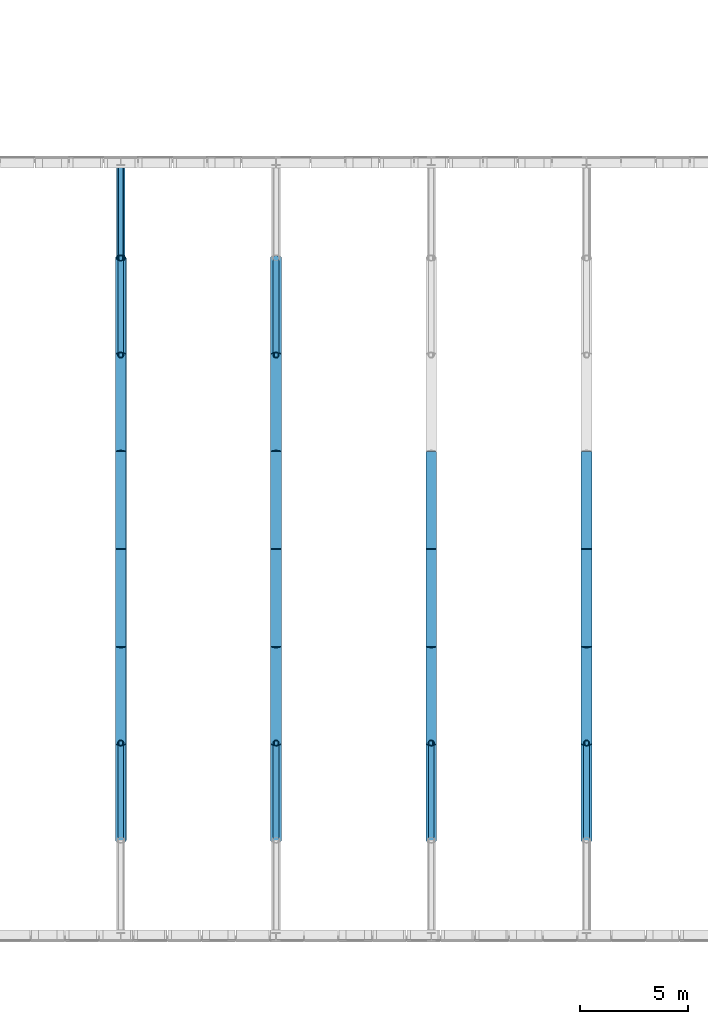
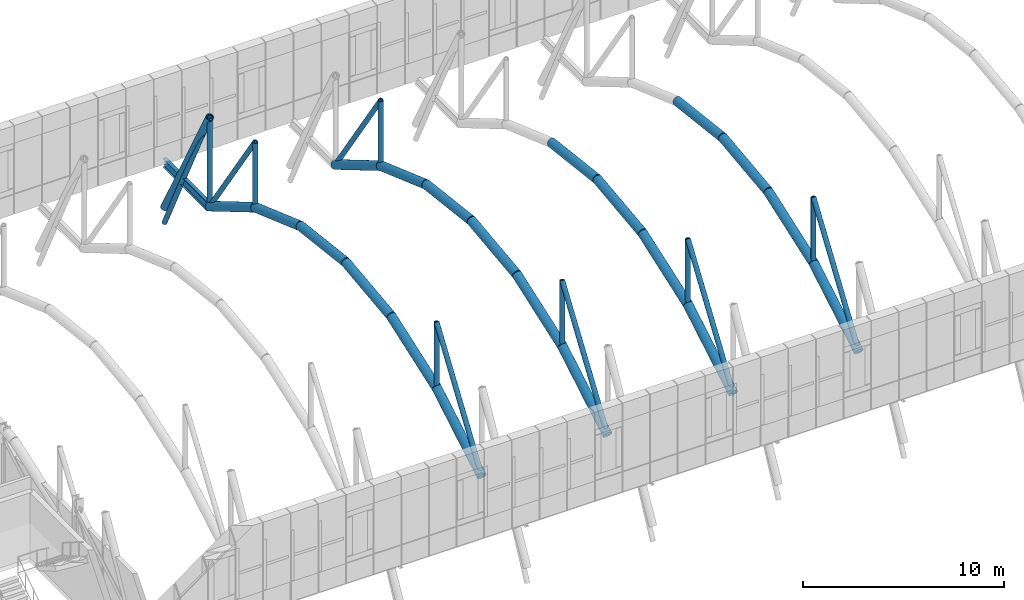
# One storey, part 35 of 144: 35 members, 1 beam.
"""IFC4 building model written with IfcOpenShell, lengths in metres."""

from ifc_helpers import new_model, si_unit, direction, frame, origin, origin_2d, place, context, subcontext, project, spatial, hollow_circle, i_section, extrude, material, material_profile, profile_set, type_object, element, save


model = new_model("IFC4")

# Units and contexts
model_context = context("Model", 3, precision=1e-05, world=origin(), true_north=direction((0.0, 1.0)))
body_context = subcontext(model_context, "Body", "Model", "MODEL_VIEW")
ifc_project = project(units=[si_unit("LENGTHUNIT", "METRE"), si_unit("AREAUNIT", "SQUARE_METRE"), si_unit("VOLUMEUNIT", "CUBIC_METRE"), si_unit("PLANEANGLEUNIT", "RADIAN"), si_unit("MASSUNIT", "GRAM", prefix="KILO")], contexts=[model_context])

# Site, building, storey
site_placement = place(None, origin())
site = spatial("IfcSite", under=ifc_project, at=site_placement, CompositionType="ELEMENT")
building_placement = place(site_placement, origin())
building = spatial("IfcBuilding", under=site, at=building_placement, Name="Yarey Park Central Fire Station", CompositionType="ELEMENT")
storey_placement = place(building_placement, frame((0.0, 0.0, 10.199951171875)))
storey = spatial("IfcBuildingStorey", under=building, at=storey_placement, Name="L03", CompositionType="ELEMENT", Elevation=10.199951171875)

# Beam
ifc_material_1 = material(Name="Steel ASTM A992 Gr. 50", Category="steel")
ifc_material_profile_1 = material_profile(ifc_material_1, i_section(OverallWidth=0.208984375, OverallDepth=0.532958984375, WebThickness=0.01025390625, FlangeThickness=0.015625, at=origin_2d()), Name="W530x92")
ifc_profile_set_1 = profile_set([ifc_material_profile_1], Name="Steel ASTM A992 Gr. 50")
beam_type = type_object("IfcBeamType", Name="STR_BM_W530", PredefinedType="BEAM", material=ifc_profile_set_1)
beam_placement = place(storey_placement, frame((79.199951171875, 89.199951171875, -0.54638671875), z_axis=(0.0, 1.0, 0.0), x_axis=(-1.0, 0.0, 0.0)))
element("IfcBeam", 1, at=beam_placement, inside=storey, type_object=beam_type, Name="V2 BOX OUT N L03 79", PredefinedType="BEAM", context=body_context, shape_type="SweptSolid", body=[
    extrude(i_section(OverallWidth=0.208984375, OverallDepth=0.532958984375, WebThickness=0.01025390625, FlangeThickness=0.015625, at=origin_2d()), origin(), (0.0, 0.0, 1.0), 4.400146484375),
])

# Members
ifc_material_2 = material(Name="Steel ASTM A500 Gr. C", Category="steel")
ifc_material_profile_2 = material_profile(ifc_material_2, hollow_circle(Radius=0.203125, WallThickness=0.01611328125, at=origin_2d()), Name="CHS 406.4x16")
ifc_profile_set_2 = profile_set([ifc_material_profile_2], Name="Steel ASTM A500 Gr. C")
member_type_1 = type_object("IfcMemberType", Name="STR_CHORD_CHS406", PredefinedType="CHORD", material=ifc_profile_set_2)
member_1_placement = place(storey_placement, frame((79.199951171875, 89.10009765625, 4.91748046875), z_axis=(0.0, 0.481210036658, -0.876605327738), x_axis=(-1.0, 0.0, 0.0)))
element("IfcMember", 2, at=member_1_placement, inside=storey, type_object=member_type_1, Name="Arched Roof Truss ART_04 Top Chord 8", PredefinedType="CHORD", context=body_context, shape_type="SweptSolid", body=[
    extrude(hollow_circle(Radius=0.203125, WallThickness=0.01611328125, at=origin_2d()), origin(), (0.0, 0.0, 1.0), 9.351318359375),
])
ifc_material_profile_3 = material_profile(ifc_material_2, hollow_circle(Radius=0.25390625, WallThickness=0.02001953125, at=origin_2d()), Name="CHS 508x20")
ifc_profile_set_3 = profile_set([ifc_material_profile_3], Name="Steel ASTM A500 Gr. C")
member_type_2 = type_object("IfcMemberType", Name="STR_CHORD_CHS508", PredefinedType="CHORD", material=ifc_profile_set_3)
member_2_placement = place(storey_placement, frame((79.199951171875, 62.10009765625, -0.481201171875), z_axis=(0.0, 0.8611645473, 0.508326295281), x_axis=(-1.0, 0.0, 0.0)))
element("IfcMember", 3, at=member_2_placement, inside=storey, type_object=member_type_2, Name="Arched Roof Truss ART_04 Bottom Chord 2", PredefinedType="CHORD", context=body_context, shape_type="SweptSolid", body=[
    extrude(hollow_circle(Radius=0.25390625, WallThickness=0.02001953125, at=origin_2d()), origin(), (0.0, 0.0, 1.0), 5.2255859375),
])
member_3_placement = place(storey_placement, frame((79.199951171875, 66.60009765625, 2.175048828125), z_axis=(0.0, 0.942627225161, 0.333847142245), x_axis=(-1.0, 0.0, 0.0)))
element("IfcMember", 4, at=member_3_placement, inside=storey, type_object=member_type_2, Name="Arched Roof Truss ART_04 Bottom Chord 3", PredefinedType="CHORD", context=body_context, shape_type="SweptSolid", body=[
    extrude(hollow_circle(Radius=0.25390625, WallThickness=0.02001953125, at=origin_2d()), origin(), (0.0, 0.0, 1.0), 4.77392578125),
])
for number, where, z_axis, x_axis, name in (
    (5, (79.199951171875, 71.10009765625, 3.768798828125), (0.0, 0.993103448276, 0.11724137931), (-1.0, 0.0, 0.0), "Arched Roof Truss ART_04 Bottom Chord 4"),
    (6, (79.199951171875, 75.60009765625, 4.300048828125), (0.0, 0.993103448276, -0.11724137931), (-1.0, 0.0, 0.0), "Arched Roof Truss ART_04 Bottom Chord 5"),
):
    element("IfcMember", number, at=place(storey_placement, frame(where, z_axis=z_axis, x_axis=x_axis)), inside=storey, type_object=member_type_2, Name=name, PredefinedType="CHORD", context=body_context, shape_type="SweptSolid", body=[
        extrude(hollow_circle(Radius=0.25390625, WallThickness=0.02001953125, at=origin_2d()), origin(), (0.0, 0.0, 1.0), 4.53125),
    ])
member_4_placement = place(storey_placement, frame((79.199951171875, 80.10009765625, 3.768798828125), z_axis=(0.0, 0.942627225161, -0.333847142245), x_axis=(-1.0, 0.0, 0.0)))
element("IfcMember", 7, at=member_4_placement, inside=storey, type_object=member_type_2, Name="Arched Roof Truss ART_04 Bottom Chord 6", PredefinedType="CHORD", context=body_context, shape_type="SweptSolid", body=[
    extrude(hollow_circle(Radius=0.25390625, WallThickness=0.02001953125, at=origin_2d()), origin(), (0.0, 0.0, 1.0), 4.77392578125),
])
for number, where, z_axis, x_axis, name in (
    (8, (79.199951171875, 84.60009765625, 2.175048828125), (0.0, 0.8611645473, -0.508326295281), (-1.0, 0.0, 0.0), "Arched Roof Truss ART_04 Bottom Chord 7"),
    (9, (86.39990234375, 62.10009765625, -0.481201171875), (0.0, 0.8611645473, 0.508326295281), (-1.0, 0.0, 0.0), "Arched Roof Truss ART_05 Bottom Chord 2"),
):
    element("IfcMember", number, at=place(storey_placement, frame(where, z_axis=z_axis, x_axis=x_axis)), inside=storey, type_object=member_type_2, Name=name, PredefinedType="CHORD", context=body_context, shape_type="SweptSolid", body=[
        extrude(hollow_circle(Radius=0.25390625, WallThickness=0.02001953125, at=origin_2d()), origin(), (0.0, 0.0, 1.0), 5.2255859375),
    ])
member_5_placement = place(storey_placement, frame((86.39990234375, 66.60009765625, 2.175048828125), z_axis=(0.0, 0.942627225161, 0.333847142245), x_axis=(-1.0, 0.0, 0.0)))
element("IfcMember", 10, at=member_5_placement, inside=storey, type_object=member_type_2, Name="Arched Roof Truss ART_05 Bottom Chord 3", PredefinedType="CHORD", context=body_context, shape_type="SweptSolid", body=[
    extrude(hollow_circle(Radius=0.25390625, WallThickness=0.02001953125, at=origin_2d()), origin(), (0.0, 0.0, 1.0), 4.77392578125),
])
for number, where, z_axis, x_axis, name in (
    (11, (86.39990234375, 71.10009765625, 3.768798828125), (0.0, 0.993103448276, 0.11724137931), (-1.0, 0.0, 0.0), "Arched Roof Truss ART_05 Bottom Chord 4"),
    (12, (86.39990234375, 75.60009765625, 4.300048828125), (0.0, 0.993103448276, -0.11724137931), (-1.0, 0.0, 0.0), "Arched Roof Truss ART_05 Bottom Chord 5"),
):
    element("IfcMember", number, at=place(storey_placement, frame(where, z_axis=z_axis, x_axis=x_axis)), inside=storey, type_object=member_type_2, Name=name, PredefinedType="CHORD", context=body_context, shape_type="SweptSolid", body=[
        extrude(hollow_circle(Radius=0.25390625, WallThickness=0.02001953125, at=origin_2d()), origin(), (0.0, 0.0, 1.0), 4.53125),
    ])
member_6_placement = place(storey_placement, frame((86.39990234375, 80.10009765625, 3.768798828125), z_axis=(0.0, 0.942627225161, -0.333847142245), x_axis=(-1.0, 0.0, 0.0)))
element("IfcMember", 13, at=member_6_placement, inside=storey, type_object=member_type_2, Name="Arched Roof Truss ART_05 Bottom Chord 6", PredefinedType="CHORD", context=body_context, shape_type="SweptSolid", body=[
    extrude(hollow_circle(Radius=0.25390625, WallThickness=0.02001953125, at=origin_2d()), origin(), (0.0, 0.0, 1.0), 4.77392578125),
])
for number, where, z_axis, x_axis, name in (
    (14, (86.39990234375, 84.60009765625, 2.175048828125), (0.0, 0.8611645473, -0.508326295281), (-1.0, 0.0, 0.0), "Arched Roof Truss ART_05 Bottom Chord 7"),
    (15, (93.60009765625, 62.10009765625, -0.481201171875), (0.0, 0.8611645473, 0.508326295281), (-1.0, 0.0, 0.0), "Arched Roof Truss ART_06 Bottom Chord 2"),
):
    element("IfcMember", number, at=place(storey_placement, frame(where, z_axis=z_axis, x_axis=x_axis)), inside=storey, type_object=member_type_2, Name=name, PredefinedType="CHORD", context=body_context, shape_type="SweptSolid", body=[
        extrude(hollow_circle(Radius=0.25390625, WallThickness=0.02001953125, at=origin_2d()), origin(), (0.0, 0.0, 1.0), 5.2255859375),
    ])
member_7_placement = place(storey_placement, frame((93.60009765625, 66.60009765625, 2.175048828125), z_axis=(0.0, 0.942627225161, 0.333847142245), x_axis=(-1.0, 0.0, 0.0)))
element("IfcMember", 16, at=member_7_placement, inside=storey, type_object=member_type_2, Name="Arched Roof Truss ART_06 Bottom Chord 3", PredefinedType="CHORD", context=body_context, shape_type="SweptSolid", body=[
    extrude(hollow_circle(Radius=0.25390625, WallThickness=0.02001953125, at=origin_2d()), origin(), (0.0, 0.0, 1.0), 4.77392578125),
])
for number, where, z_axis, x_axis, name in (
    (17, (93.60009765625, 71.10009765625, 3.768798828125), (0.0, 0.993103448276, 0.11724137931), (-1.0, 0.0, 0.0), "Arched Roof Truss ART_06 Bottom Chord 4"),
    (18, (93.60009765625, 75.60009765625, 4.300048828125), (0.0, 0.993103448276, -0.11724137931), (-1.0, 0.0, 0.0), "Arched Roof Truss ART_06 Bottom Chord 5"),
):
    element("IfcMember", number, at=place(storey_placement, frame(where, z_axis=z_axis, x_axis=x_axis)), inside=storey, type_object=member_type_2, Name=name, PredefinedType="CHORD", context=body_context, shape_type="SweptSolid", body=[
        extrude(hollow_circle(Radius=0.25390625, WallThickness=0.02001953125, at=origin_2d()), origin(), (0.0, 0.0, 1.0), 4.53125),
    ])
member_8_placement = place(storey_placement, frame((100.800048828125, 62.10009765625, -0.481201171875), z_axis=(0.0, 0.8611645473, 0.508326295281), x_axis=(-1.0, 0.0, 0.0)))
element("IfcMember", 19, at=member_8_placement, inside=storey, type_object=member_type_2, Name="Arched Roof Truss ART_07 Bottom Chord 2", PredefinedType="CHORD", context=body_context, shape_type="SweptSolid", body=[
    extrude(hollow_circle(Radius=0.25390625, WallThickness=0.02001953125, at=origin_2d()), origin(), (0.0, 0.0, 1.0), 5.2255859375),
])
member_9_placement = place(storey_placement, frame((100.800048828125, 66.60009765625, 2.175048828125), z_axis=(0.0, 0.942627225161, 0.333847142245), x_axis=(-1.0, 0.0, 0.0)))
element("IfcMember", 20, at=member_9_placement, inside=storey, type_object=member_type_2, Name="Arched Roof Truss ART_07 Bottom Chord 3", PredefinedType="CHORD", context=body_context, shape_type="SweptSolid", body=[
    extrude(hollow_circle(Radius=0.25390625, WallThickness=0.02001953125, at=origin_2d()), origin(), (0.0, 0.0, 1.0), 4.77392578125),
])
for number, where, z_axis, x_axis, name in (
    (21, (100.800048828125, 71.10009765625, 3.768798828125), (0.0, 0.993103448276, 0.11724137931), (-1.0, 0.0, 0.0), "Arched Roof Truss ART_07 Bottom Chord 4"),
    (22, (100.800048828125, 75.60009765625, 4.300048828125), (0.0, 0.993103448276, -0.11724137931), (-1.0, 0.0, 0.0), "Arched Roof Truss ART_07 Bottom Chord 5"),
):
    element("IfcMember", number, at=place(storey_placement, frame(where, z_axis=z_axis, x_axis=x_axis)), inside=storey, type_object=member_type_2, Name=name, PredefinedType="CHORD", context=body_context, shape_type="SweptSolid", body=[
        extrude(hollow_circle(Radius=0.25390625, WallThickness=0.02001953125, at=origin_2d()), origin(), (0.0, 0.0, 1.0), 4.53125),
    ])
ifc_material_profile_4 = material_profile(ifc_material_2, hollow_circle(Radius=0.136474609375, WallThickness=0.012451171875, at=origin_2d()), Name="CHS 273x12.5")
ifc_profile_set_4 = profile_set([ifc_material_profile_4], Name="Steel ASTM A500 Gr. C")
member_type_3 = type_object("IfcMemberType", Name="STR_WEB_CHS273", PredefinedType="BRACE", material=ifc_profile_set_4)
for number, where, z_axis, x_axis, name in (
    (23, (79.199951171875, 62.10009765625, -0.481201171875), (0.0, 0.562095632178, 0.82707224611), (-1.0, 0.0, 0.0), "Arched Roof Truss ART_04 Diagonal 2"),
    (24, (79.199951171875, 84.60009765625, 6.14013671875), (0.0, 0.562095632178, -0.82707224611), (-1.0, 0.0, 0.0), "Arched Roof Truss ART_04 Diagonal 7"),
):
    element("IfcMember", number, at=place(storey_placement, frame(where, z_axis=z_axis, x_axis=x_axis)), inside=storey, type_object=member_type_3, Name=name, PredefinedType="BRACE", context=body_context, shape_type="SweptSolid", body=[
        extrude(hollow_circle(Radius=0.136474609375, WallThickness=0.012451171875, at=origin_2d()), origin(), (0.0, 0.0, 1.0), 8.005859375),
    ])
member_10_placement = place(storey_placement, frame((79.199951171875, 89.10009765625, 4.91748046875), z_axis=(0.0, 0.442587736107, -0.89672520643), x_axis=(-1.0, 0.0, 0.0)))
element("IfcMember", 25, at=member_10_placement, inside=storey, type_object=member_type_3, Name="Arched Roof Truss ART_04 Diagonal 8", PredefinedType="BRACE", context=body_context, shape_type="SweptSolid", body=[
    extrude(hollow_circle(Radius=0.136474609375, WallThickness=0.012451171875, at=origin_2d()), origin(), (0.0, 0.0, 1.0), 10.16748046875),
])
for number, where, z_axis, x_axis, name in (
    (26, (79.199951171875, 66.60009765625, 2.175048828125), (0.0, 0.0, 1.0), (1.0, 0.0, 0.0), "Arched Roof Truss ART_04 Vertical 3"),
    (27, (79.199951171875, 84.60009765625, 2.175048828125), (0.0, 0.0, 1.0), (1.0, 0.0, 0.0), "Arched Roof Truss ART_04 Vertical 7"),
):
    element("IfcMember", number, at=place(storey_placement, frame(where, z_axis=z_axis, x_axis=x_axis)), inside=storey, type_object=member_type_3, Name=name, PredefinedType="BRACE", context=body_context, shape_type="SweptSolid", body=[
        extrude(hollow_circle(Radius=0.136474609375, WallThickness=0.012451171875, at=origin_2d()), origin(), (0.0, 0.0, 1.0), 3.965087890625),
    ])
member_11_placement = place(storey_placement, frame((79.199951171875, 89.10009765625, -0.481201171875), z_axis=(0.0, 0.0, 1.0), x_axis=(1.0, 0.0, 0.0)))
element("IfcMember", 28, at=member_11_placement, inside=storey, type_object=member_type_3, Name="Arched Roof Truss ART_04 Vertical 8", PredefinedType="BRACE", context=body_context, shape_type="SweptSolid", body=[
    extrude(hollow_circle(Radius=0.136474609375, WallThickness=0.012451171875, at=origin_2d()), origin(), (0.0, 0.0, 1.0), 5.398681640625),
])
for number, where, z_axis, x_axis, name in (
    (29, (86.39990234375, 62.10009765625, -0.481201171875), (0.0, 0.562095632178, 0.82707224611), (-1.0, 0.0, 0.0), "Arched Roof Truss ART_05 Diagonal 2"),
    (30, (86.39990234375, 84.60009765625, 6.14013671875), (0.0, 0.562095632178, -0.82707224611), (-1.0, 0.0, 0.0), "Arched Roof Truss ART_05 Diagonal 7"),
):
    element("IfcMember", number, at=place(storey_placement, frame(where, z_axis=z_axis, x_axis=x_axis)), inside=storey, type_object=member_type_3, Name=name, PredefinedType="BRACE", context=body_context, shape_type="SweptSolid", body=[
        extrude(hollow_circle(Radius=0.136474609375, WallThickness=0.012451171875, at=origin_2d()), origin(), (0.0, 0.0, 1.0), 8.005859375),
    ])
for number, where, z_axis, x_axis, name in (
    (31, (86.39990234375, 66.60009765625, 2.175048828125), (0.0, 0.0, 1.0), (1.0, 0.0, 0.0), "Arched Roof Truss ART_05 Vertical 3"),
    (32, (86.39990234375, 84.60009765625, 2.175048828125), (0.0, 0.0, 1.0), (1.0, 0.0, 0.0), "Arched Roof Truss ART_05 Vertical 7"),
):
    element("IfcMember", number, at=place(storey_placement, frame(where, z_axis=z_axis, x_axis=x_axis)), inside=storey, type_object=member_type_3, Name=name, PredefinedType="BRACE", context=body_context, shape_type="SweptSolid", body=[
        extrude(hollow_circle(Radius=0.136474609375, WallThickness=0.012451171875, at=origin_2d()), origin(), (0.0, 0.0, 1.0), 3.965087890625),
    ])
member_12_placement = place(storey_placement, frame((93.60009765625, 62.10009765625, -0.481201171875), z_axis=(0.0, 0.562095632178, 0.82707224611), x_axis=(-1.0, 0.0, 0.0)))
element("IfcMember", 33, at=member_12_placement, inside=storey, type_object=member_type_3, Name="Arched Roof Truss ART_06 Diagonal 2", PredefinedType="BRACE", context=body_context, shape_type="SweptSolid", body=[
    extrude(hollow_circle(Radius=0.136474609375, WallThickness=0.012451171875, at=origin_2d()), origin(), (0.0, 0.0, 1.0), 8.005859375),
])
member_13_placement = place(storey_placement, frame((93.60009765625, 66.60009765625, 2.175048828125), z_axis=(0.0, 0.0, 1.0), x_axis=(1.0, 0.0, 0.0)))
element("IfcMember", 34, at=member_13_placement, inside=storey, type_object=member_type_3, Name="Arched Roof Truss ART_06 Vertical 3", PredefinedType="BRACE", context=body_context, shape_type="SweptSolid", body=[
    extrude(hollow_circle(Radius=0.136474609375, WallThickness=0.012451171875, at=origin_2d()), origin(), (0.0, 0.0, 1.0), 3.965087890625),
])
member_14_placement = place(storey_placement, frame((100.800048828125, 62.10009765625, -0.481201171875), z_axis=(0.0, 0.562095632178, 0.82707224611), x_axis=(-1.0, 0.0, 0.0)))
element("IfcMember", 35, at=member_14_placement, inside=storey, type_object=member_type_3, Name="Arched Roof Truss ART_07 Diagonal 2", PredefinedType="BRACE", context=body_context, shape_type="SweptSolid", body=[
    extrude(hollow_circle(Radius=0.136474609375, WallThickness=0.012451171875, at=origin_2d()), origin(), (0.0, 0.0, 1.0), 8.005859375),
])
member_15_placement = place(storey_placement, frame((100.800048828125, 66.60009765625, 2.175048828125), z_axis=(0.0, 0.0, 1.0), x_axis=(1.0, 0.0, 0.0)))
element("IfcMember", 36, at=member_15_placement, inside=storey, type_object=member_type_3, Name="Arched Roof Truss ART_07 Vertical 3", PredefinedType="BRACE", context=body_context, shape_type="SweptSolid", body=[
    extrude(hollow_circle(Radius=0.136474609375, WallThickness=0.012451171875, at=origin_2d()), origin(), (0.0, 0.0, 1.0), 3.965087890625),
])

save(model, "model.ifc")
